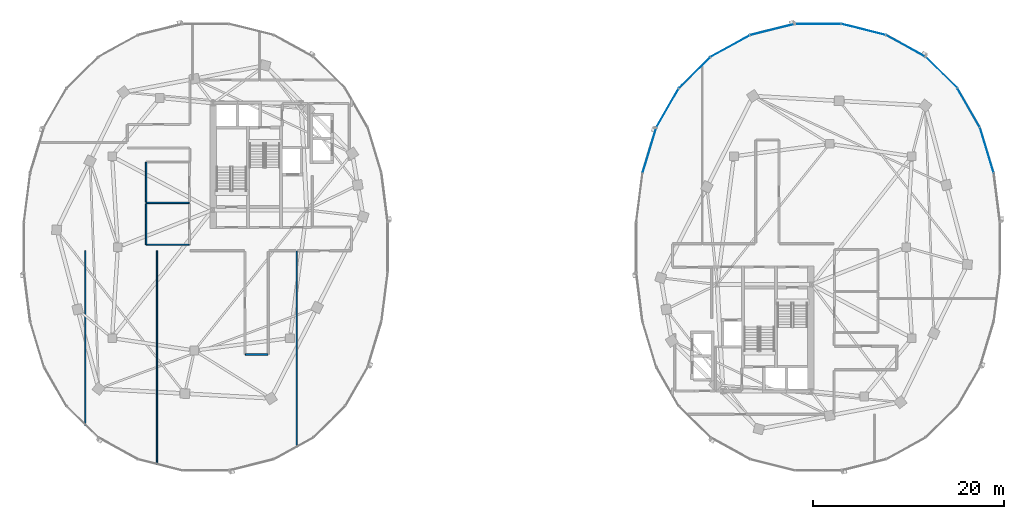
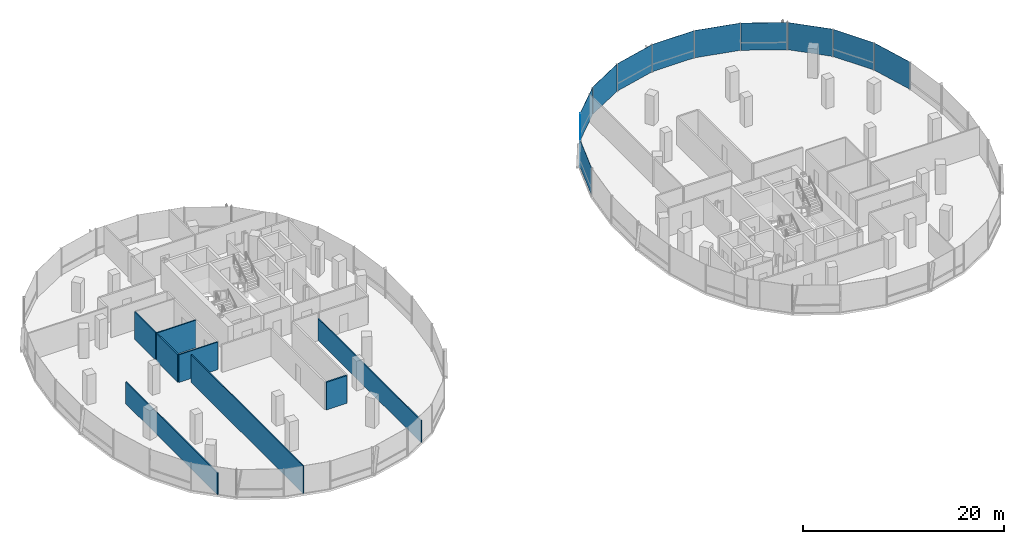
# One storey, part 11 of 22: 11 plates, 8 walls, 2 elements without a shape of their own.
"""IFC4 building model written with IfcOpenShell, lengths in metres."""

from ifc_helpers import new_model, si_unit, direction, frame, frame_2d, origin, origin_2d, place, context, subcontext, project, spatial, rectangle, extrude, material, layer, layer_set, type_object, element, aggregate, save


model = new_model("IFC4")

# Units and contexts
model_context = context("Model", 3, precision=1e-05, world=origin(), true_north=direction((0.0, 1.0)))
body_context = subcontext(model_context, "Body", "Model", "MODEL_VIEW")
ifc_project = project(units=[si_unit("LENGTHUNIT", "METRE"), si_unit("AREAUNIT", "SQUARE_METRE"), si_unit("VOLUMEUNIT", "CUBIC_METRE"), si_unit("PLANEANGLEUNIT", "RADIAN"), si_unit("MASSUNIT", "GRAM", prefix="KILO"), si_unit("THERMODYNAMICTEMPERATUREUNIT", "KELVIN"), si_unit("POWERUNIT", "WATT")], contexts=[model_context])

# Site, building, storey
site_placement = place(None, origin())
site = spatial("IfcSite", under=ifc_project, at=site_placement, CompositionType="ELEMENT")
building_placement = place(site_placement, origin())
building = spatial("IfcBuilding", under=site, at=building_placement, Name="Cundina Bronze Exchange", CompositionType="ELEMENT")
storey_placement = place(building_placement, frame((0.0, 0.0, 136.800048828125)))
storey = spatial("IfcBuildingStorey", under=building, at=storey_placement, Name="L35", CompositionType="ELEMENT", Elevation=136.800048828125)

# Curtain wall, plates
ifc_material_1 = material(Name="Anodised Bronze Aluminium 6063-T6", Category="aluminium")
curtain_wall_type = type_object("IfcCurtainWallType", Name="CWS-WST-PIN", PredefinedType="NOTDEFINED", material=ifc_material_1)
curtain_wall_1_placement = place(storey_placement, origin())
curtain_wall_1 = element("IfcCurtainWall", 1, at=curtain_wall_1_placement, inside=storey, type_object=curtain_wall_type, Name="L35 CW-04 Curtain Wall Run CWR-L35-E1", PredefinedType="NOTDEFINED")
ifc_material_2 = material(Name="Heat-Strengthened Solar-Control Bronze Safety Glass 28mm", Category="glass")
ifc_layer_1 = layer(ifc_material_2, 0.028076171875, Name="Heat-Strengthened Solar-Control Bronze Safety Glass 28mm", Category="glass")
ifc_layer_set_1 = layer_set([ifc_layer_1], Name="Heat-Strengthened Solar-Control Bronze Safety Glass 28mm")
plate_type_1 = type_object("IfcPlateType", Name="PLT-GLZ-VIS28", PredefinedType="CURTAIN_PANEL", material=ifc_layer_set_1)
plate_1_placement = place(storey_placement, frame((49.63330078125, 10.14208984375, 0.02001953125), z_axis=(0.0, 0.0, 1.0), x_axis=(-0.290050843957, 0.957011237092, 0.0)))
plate_1 = element("IfcPlate", 2, at=plate_1_placement, type_object=plate_type_1, Name="CW-04 Glazed Panel 2", PredefinedType="CURTAIN_PANEL", context=body_context, shape_type="SweptSolid", body=[
    extrude(rectangle(XDim=4.885009765625, YDim=0.028076171875, at=origin_2d()), origin(), (0.0, 0.0, 1.0), 3.320068359375),
])
plate_2_placement = place(storey_placement, frame((47.734375, 14.564697265625, 0.02001953125), z_axis=(0.0, 0.0, 1.0), x_axis=(-0.498487739754, 0.866896748936, 0.0)))
plate_2 = element("IfcPlate", 3, at=plate_2_placement, type_object=plate_type_1, Name="CW-04 Glazed Panel 3", PredefinedType="CURTAIN_PANEL", context=body_context, shape_type="SweptSolid", body=[
    extrude(rectangle(XDim=4.676513671875, YDim=0.028076171875, at=origin_2d()), origin(), (0.0, 0.0, 1.0), 3.320068359375),
])
plate_3_placement = place(storey_placement, frame((44.894775390625, 18.253662109375, 0.02001953125), z_axis=(0.0, 0.0, 1.0), x_axis=(-0.711989280367, 0.702190333629, 0.0)))
plate_3 = element("IfcPlate", 4, at=plate_3_placement, type_object=plate_type_1, Name="CW-04 Glazed Panel 4", PredefinedType="CURTAIN_PANEL", context=body_context, shape_type="SweptSolid", body=[
    extrude(rectangle(XDim=4.6025390625, YDim=0.028076171875, at=origin_2d()), origin(), (0.0, 0.0, 1.0), 3.320068359375),
])
plate_4_placement = place(storey_placement, frame((36.76513671875, 22.75244140625, 0.02001953125), z_axis=(0.0, 0.0, 1.0), x_axis=(-0.970092713791, 0.242734683656, 0.0)))
plate_4 = element("IfcPlate", 5, at=plate_4_placement, type_object=plate_type_1, Name="CW-04 Glazed Panel 6", PredefinedType="CURTAIN_PANEL", context=body_context, shape_type="SweptSolid", body=[
    extrude(rectangle(XDim=4.7548828125, YDim=0.028076171875, at=origin_2d()), origin(), (0.0, 0.0, 1.0), 3.320068359375),
])
plate_5_placement = place(storey_placement, frame((32.0, 23.3369140625, 0.02001953125), z_axis=(0.0, 0.0, 1.0), x_axis=(-1.0, 0.0, 0.0)))
plate_5 = element("IfcPlate", 6, at=plate_5_placement, type_object=plate_type_1, Name="CW-04 Glazed Panel 7", PredefinedType="CURTAIN_PANEL", context=body_context, shape_type="SweptSolid", body=[
    extrude(rectangle(XDim=4.7958984375, YDim=0.028076171875, at=origin_2d()), origin(), (0.0, 0.0, 1.0), 3.320068359375),
])

curtain_wall_2_placement = place(storey_placement, origin())
curtain_wall_2 = element("IfcCurtainWall", 7, at=curtain_wall_2_placement, inside=storey, type_object=curtain_wall_type, Name="L35 CW-04 Curtain Wall Run CWR-L35-E2", PredefinedType="NOTDEFINED")
plate_6_placement = place(storey_placement, frame((27.23486328125, 22.75244140625, 0.02001953125), z_axis=(0.0, 0.0, 1.0), x_axis=(-0.970092713791, -0.242734683656, 0.0)))
plate_6 = element("IfcPlate", 8, at=plate_6_placement, type_object=plate_type_1, Name="CW-04 Glazed Panel 1", PredefinedType="CURTAIN_PANEL", context=body_context, shape_type="SweptSolid", body=[
    extrude(rectangle(XDim=4.7548828125, YDim=0.028076171875, at=origin_2d()), origin(), (0.0, 0.0, 1.0), 3.320068359375),
])
plate_7_placement = place(storey_placement, frame((22.83154296875, 21.02880859375, 0.02001953125), z_axis=(0.0, 0.0, 1.0), x_axis=(-0.875869093438, -0.482548786301, 0.0)))
plate_7 = element("IfcPlate", 9, at=plate_7_placement, type_object=plate_type_1, Name="CW-04 Glazed Panel 2", PredefinedType="CURTAIN_PANEL", context=body_context, shape_type="SweptSolid", body=[
    extrude(rectangle(XDim=4.661865234375, YDim=0.028076171875, at=origin_2d()), origin(), (0.0, 0.0, 1.0), 3.320068359375),
])
plate_8_placement = place(storey_placement, frame((19.105224609375, 18.253662109375, 0.02001953125), z_axis=(0.0, 0.0, 1.0), x_axis=(-0.711989280367, -0.702190333629, 0.0)))
plate_8 = element("IfcPlate", 10, at=plate_8_placement, type_object=plate_type_1, Name="CW-04 Glazed Panel 3", PredefinedType="CURTAIN_PANEL", context=body_context, shape_type="SweptSolid", body=[
    extrude(rectangle(XDim=4.6025390625, YDim=0.028076171875, at=origin_2d()), origin(), (0.0, 0.0, 1.0), 3.320068359375),
])
plate_9_placement = place(storey_placement, frame((14.36669921875, 10.14208984375, 0.02001953125), z_axis=(0.0, 0.0, 1.0), x_axis=(-0.290050843957, -0.957011237092, 0.0)))
plate_9 = element("IfcPlate", 11, at=plate_9_placement, type_object=plate_type_1, Name="CW-04 Glazed Panel 5", PredefinedType="CURTAIN_PANEL", context=body_context, shape_type="SweptSolid", body=[
    extrude(rectangle(XDim=4.885009765625, YDim=0.028076171875, at=origin_2d()), origin(), (0.0, 0.0, 1.0), 3.320068359375),
])

# Plate
ifc_material_3 = material(Name="Dark Bronze Spandrel Glass Panel 32mm", Category="glass")
ifc_layer_2 = layer(ifc_material_3, 0.031982421875, Name="Dark Bronze Spandrel Glass Panel 32mm", Category="glass")
ifc_layer_set_2 = layer_set([ifc_layer_2], Name="Dark Bronze Spandrel Glass Panel 32mm")
plate_type_2 = type_object("IfcPlateType", Name="PLT-SPN-BRZ32", PredefinedType="CURTAIN_PANEL", material=ifc_layer_set_2)
plate_10_placement = place(storey_placement, frame((41.16845703125, 21.02880859375, 0.02001953125), z_axis=(0.0, 0.0, 1.0), x_axis=(-0.875869093438, 0.482548786301, 0.0)))
plate_10 = element("IfcPlate", 12, at=plate_10_placement, type_object=plate_type_2, Name="CW-04 Glazed Panel 5", PredefinedType="CURTAIN_PANEL", context=body_context, shape_type="SweptSolid", body=[
    extrude(rectangle(XDim=4.661865234375, YDim=0.031982421875, at=origin_2d()), origin(), (0.0, 0.0, 1.0), 3.320068359375),
])

aggregate(curtain_wall_1, [plate_1, plate_2, plate_3, plate_10, plate_4, plate_5])

plate_11_placement = place(storey_placement, frame((16.265625, 14.564697265625, 0.02001953125), z_axis=(0.0, 0.0, 1.0), x_axis=(-0.498487739754, -0.866896748936, 0.0)))
plate_11 = element("IfcPlate", 13, at=plate_11_placement, type_object=plate_type_2, Name="CW-04 Glazed Panel 4", PredefinedType="CURTAIN_PANEL", context=body_context, shape_type="SweptSolid", body=[
    extrude(rectangle(XDim=4.676513671875, YDim=0.031982421875, at=origin_2d()), origin(), (0.0, 0.0, 1.0), 3.320068359375),
])

aggregate(curtain_wall_2, [plate_6, plate_7, plate_8, plate_11, plate_9])

# Walls
ifc_material_4 = material(Name="Gypsum Fireboard Partition EI120")
ifc_layer_3 = layer(ifc_material_4, 0.179931640625, Name="Gypsum Fireboard Partition EI120")
ifc_layer_set_3 = layer_set([ifc_layer_3], Name="Gypsum Fireboard Partition EI120")
wall_type_1 = type_object("IfcWallType", Name="WL-COR-180", PredefinedType="PARTITIONING", material=ifc_layer_set_3)
wall_1_placement = place(storey_placement, frame((-27.87841796875, -11.219970703125, 0.0), z_axis=(0.0, 0.0, 1.0), x_axis=(1.0, 0.0, 0.0)))
element("IfcWall", 14, at=wall_1_placement, inside=storey, type_object=wall_type_1, Name="L35 Interior Partition 027", PredefinedType="PARTITIONING", context=body_context, shape_type="SweptSolid", body=[
    extrude(rectangle(XDim=2.35693359375, YDim=0.179931640625, at=frame_2d((1.178466796875, 0.0))), origin(), (0.0, 0.0, 1.0), 3.35986328125),
])
ifc_material_5 = material(Name="Gypsum Acoustic Partition EI60")
ifc_layer_4 = layer(ifc_material_5, 0.125, Name="Gypsum Acoustic Partition EI60")
ifc_layer_set_4 = layer_set([ifc_layer_4], Name="Gypsum Acoustic Partition EI60")
wall_type_2 = type_object("IfcWallType", Name="WL-OFF-125", PredefinedType="PARTITIONING", material=ifc_layer_set_4)
wall_2_placement = place(storey_placement, frame((-44.60009765625, -18.643798828125, 0.0), z_axis=(0.0, 0.0, 1.0), x_axis=(0.0, 1.0, 0.0)))
element("IfcWall", 15, at=wall_2_placement, inside=storey, type_object=wall_type_2, Name="L35 Interior Partition 016", PredefinedType="PARTITIONING", context=body_context, shape_type="SweptSolid", body=[
    extrude(rectangle(XDim=18.273681640625, YDim=0.125, at=frame_2d((9.13671875, 0.0))), origin(), (0.0, 0.0, 1.0), 2.6650390625),
])
wall_3_placement = place(storey_placement, frame((-37.10009765625, -22.736328125, 0.0), z_axis=(0.0, 0.0, 1.0), x_axis=(0.0, 1.0, 0.0)))
element("IfcWall", 16, at=wall_3_placement, inside=storey, type_object=wall_type_2, Name="L35 Interior Partition 017", PredefinedType="PARTITIONING", context=body_context, shape_type="SweptSolid", body=[
    extrude(rectangle(XDim=22.3662109375, YDim=0.125, at=frame_2d((11.18310546875, 0.0))), origin(), (0.0, 0.0, 1.0), 3.35986328125),
])
wall_4_placement = place(storey_placement, frame((-22.5, -20.923095703125, 0.0), z_axis=(0.0, 0.0, 1.0), x_axis=(0.0, 1.0, 0.0)))
element("IfcWall", 17, at=wall_4_placement, inside=storey, type_object=wall_type_2, Name="L35 Interior Partition 018", PredefinedType="PARTITIONING", context=body_context, shape_type="SweptSolid", body=[
    extrude(rectangle(XDim=20.523193359375, YDim=0.125, at=frame_2d((10.26171875, 0.0))), origin(), (0.0, 0.0, 1.0), 2.6650390625),
])
ifc_material_6 = material(Name="Moisture-Resistant Masonry Block Grade M15", Category="masonry")
ifc_layer_5 = layer(ifc_material_6, 0.139892578125, Name="Moisture-Resistant Masonry Block Grade M15", Category="masonry")
ifc_layer_set_5 = layer_set([ifc_layer_5], Name="Moisture-Resistant Masonry Block Grade M15")
wall_type_3 = type_object("IfcWallType", Name="WL-WET-140", PredefinedType="PARTITIONING", material=ifc_layer_set_5)
wall_5_placement = place(storey_placement, frame((-38.239990234375, 0.27001953125, 0.0), z_axis=(0.0, 0.0, 1.0), x_axis=(0.0, 1.0, 0.0)))
element("IfcWall", 18, at=wall_5_placement, inside=storey, type_object=wall_type_3, Name="L35 Interior Partition 009", PredefinedType="PARTITIONING", context=body_context, shape_type="SweptSolid", body=[
    extrude(rectangle(XDim=4.27490234375, YDim=0.139892578125, at=frame_2d((2.137451171875, 0.0))), origin(), (0.0, 0.0, 1.0), 3.35986328125),
])
wall_6_placement = place(storey_placement, frame((-38.239990234375, 4.715087890625, 0.0), z_axis=(0.0, 0.0, 1.0), x_axis=(0.0, 1.0, 0.0)))
element("IfcWall", 19, at=wall_6_placement, inside=storey, type_object=wall_type_3, Name="L35 Interior Partition 010", PredefinedType="PARTITIONING", context=body_context, shape_type="SweptSolid", body=[
    extrude(rectangle(XDim=4.1748046875, YDim=0.139892578125, at=frame_2d((2.08740234375, 0.0))), origin(), (0.0, 0.0, 1.0), 3.35986328125),
])
for number, where, z_axis, x_axis, name in (
    (20, (-38.219970703125, 0.25, 0.0), (0.0, 0.0, 1.0), (1.0, 0.0, 0.0), "L35 Interior Partition 011"),
    (21, (-38.219970703125, 4.6298828125, 0.0), (0.0, 0.0, 1.0), (1.0, 0.0, 0.0), "L35 Interior Partition 012"),
):
    element("IfcWall", number, at=place(storey_placement, frame(where, z_axis=z_axis, x_axis=x_axis)), inside=storey, type_object=wall_type_3, Name=name, PredefinedType="PARTITIONING", context=body_context, shape_type="SweptSolid", body=[
        extrude(rectangle(XDim=4.47998046875, YDim=0.139892578125, at=frame_2d((2.239990234375, 0.0))), origin(), (0.0, 0.0, 1.0), 3.35986328125),
    ])

save(model, "model.ifc")
